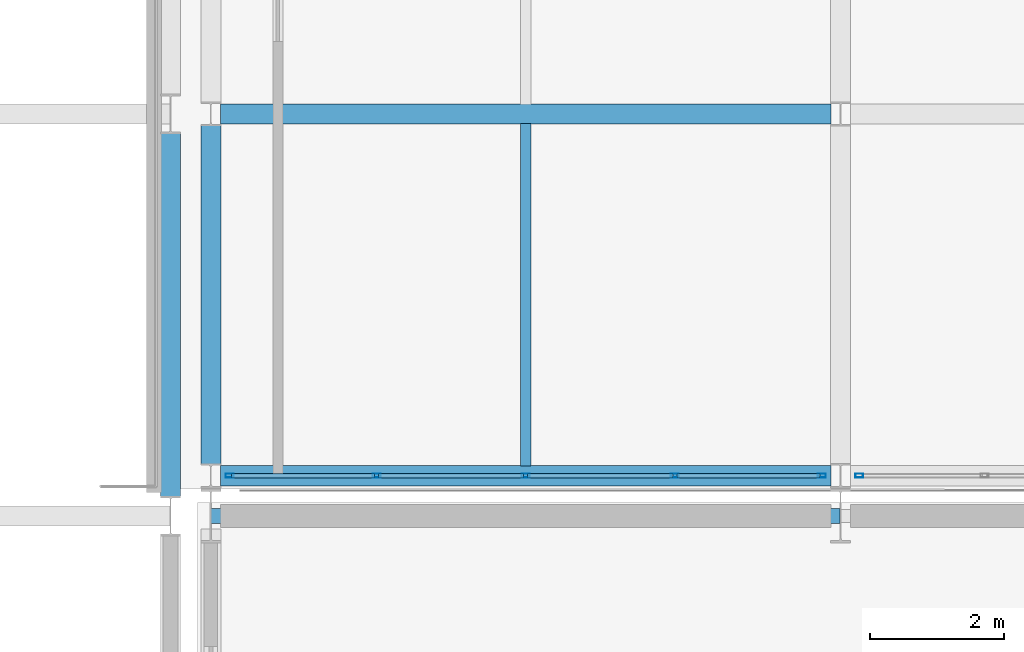
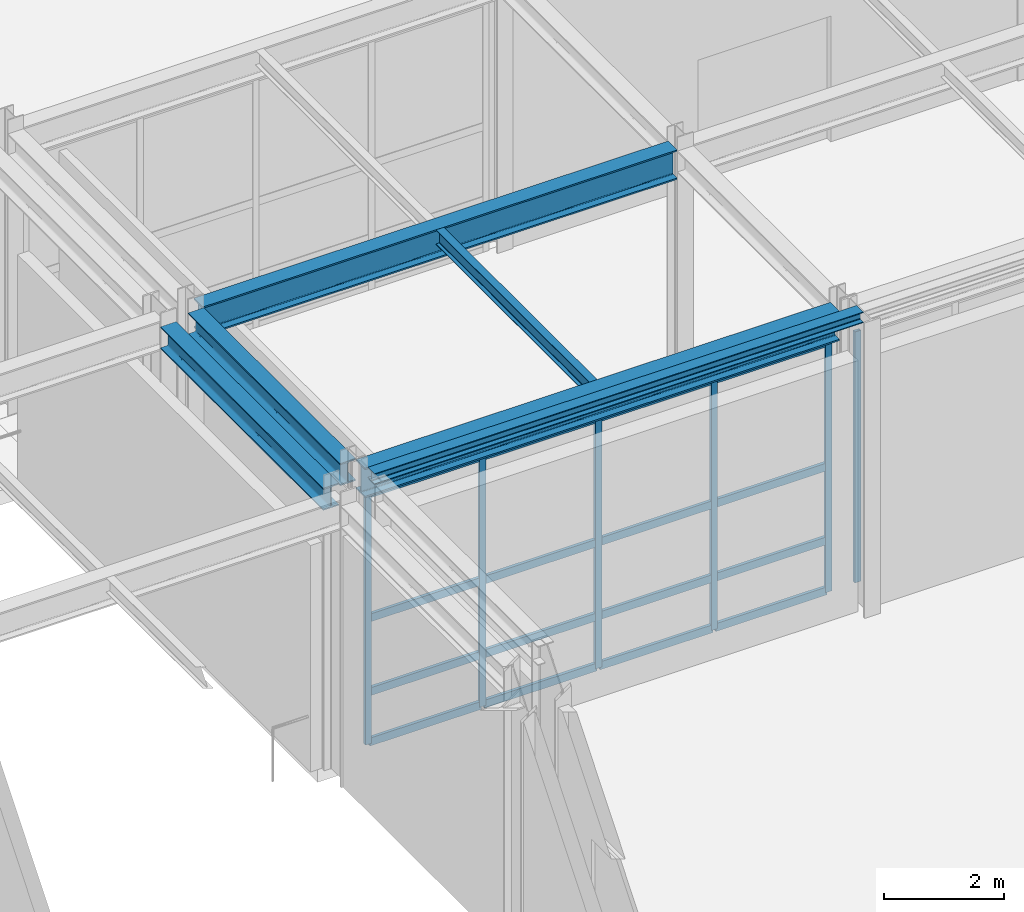
# One storey, part 91 of 146: 22 members, 6 beams, 2 elements without a shape of their own.
"""IFC4 building model written with IfcOpenShell, lengths in metres."""

import ifcopenshell
import ifcopenshell.guid

model = None  # the IFC model being written
_history = None  # IfcOwnerHistory: only IFC2X3 demands one
_inside = {}  # id of a spatial element -> (the spatial element, [elements in it])
_under = {}  # id of a project, library or spatial element -> (it, [spatial elements below it])
_declared = {}  # id of a project -> (the project, [libraries it declares])
_typed = {}  # id of a type object -> (the type object, [elements of that type])
_made_of = {}  # id of a material, layer set ... -> (it, [elements and type objects made of it])


def new_model(schema):
    """Start an empty IFC model of exactly this schema.

    Asked for "IFC4X3", IfcOpenShell would pick the latest addendum, in which some entities
    have other attributes; the version numbers below select the first issue.
    IFC2X3 requires an IfcOwnerHistory on every rooted entity: one is made here for all.
    """
    global model, _history
    if schema == "IFC4X3":
        model = ifcopenshell.file(schema_version=(4, 3, 0, 0))
    else:
        model = ifcopenshell.file(schema=schema)
    _inside.clear()
    _under.clear()
    _declared.clear()
    _typed.clear()
    _made_of.clear()
    _history = None
    if model.schema == "IFC2X3":
        org = make("IfcOrganization", Name="unknown")
        user = make(
            "IfcPersonAndOrganization",
            ThePerson=make("IfcPerson", FamilyName="unknown"),
            TheOrganization=org,
        )
        app = make(
            "IfcApplication",
            ApplicationDeveloper=org,
            Version="unknown",
            ApplicationFullName="unknown",
            ApplicationIdentifier="unknown",
        )
        _history = make(
            "IfcOwnerHistory",
            OwningUser=user,
            OwningApplication=app,
            ChangeAction="ADDED",
            CreationDate=0,
        )
    return model


def make(cls, **values):
    """One entity of the class cls with the attributes given. An attribute that is None is left unset."""
    return model.create_entity(
        cls, **{name: value for name, value in values.items() if value is not None}
    )


def rooted(cls, **values):
    """An entity with a GlobalId (a new one), such as an element, a storey or a relation."""
    return make(cls, GlobalId=ifcopenshell.guid.new(), OwnerHistory=_history, **values)


def si_unit(unit_type, name, prefix=None):
    """IfcSIUnit, for example si_unit("LENGTHUNIT", "METRE", prefix="MILLI")."""
    return make("IfcSIUnit", UnitType=unit_type, Prefix=prefix, Name=name)


def assignment(units):
    """IfcUnitAssignment: the units of a project."""
    return None if units is None else make("IfcUnitAssignment", Units=units)


def point(xyz):
    """IfcCartesianPoint."""
    return None if xyz is None else make("IfcCartesianPoint", Coordinates=xyz)


def direction(xyz):
    """IfcDirection."""
    return None if xyz is None else make("IfcDirection", DirectionRatios=xyz)


def frame(location, z_axis=None, x_axis=None):
    """IfcAxis2Placement3D, a coordinate frame: its origin and axes. An axis left out is left unset."""
    return make(
        "IfcAxis2Placement3D",
        Location=point(location),
        Axis=direction(z_axis),
        RefDirection=direction(x_axis),
    )


def frame_2d(location, x_axis=None):
    """IfcAxis2Placement2D, a coordinate frame in the plane: its origin and x axis."""
    return make(
        "IfcAxis2Placement2D", Location=point(location), RefDirection=direction(x_axis)
    )


def origin():
    """The frame at (0, 0, 0) with its axes left unset."""
    return frame((0.0, 0.0, 0.0))


def origin_2d():
    """The frame at (0, 0) in the plane with its x axis left unset."""
    return frame_2d((0.0, 0.0))


def place(relative_to, where):
    """IfcLocalPlacement: puts the frame where relative to a parent placement (None: the world)."""
    return make(
        "IfcLocalPlacement", PlacementRelTo=relative_to, RelativePlacement=where
    )


def context(
    kind, dimensions, precision=None, world=None, true_north=None, identifier=None
):
    """IfcGeometricRepresentationContext, for example the 3D "Model" context."""
    return make(
        "IfcGeometricRepresentationContext",
        ContextIdentifier=identifier,
        ContextType=kind,
        CoordinateSpaceDimension=dimensions,
        Precision=precision,
        WorldCoordinateSystem=world,
        TrueNorth=true_north,
    )


def subcontext(parent, identifier, kind, view, scale=None):
    """IfcGeometricRepresentationSubContext, for example "Body" below "Model"."""
    return make(
        "IfcGeometricRepresentationSubContext",
        ContextIdentifier=identifier,
        ContextType=kind,
        ParentContext=parent,
        TargetScale=scale,
        TargetView=view,
    )


def project(units=None, contexts=None):
    """IfcProject with its units and contexts."""
    return rooted(
        "IfcProject",
        Name="project",
        RepresentationContexts=contexts,
        UnitsInContext=assignment(units),
    )


def spatial(cls, under=None, at=None, **own):
    """A site, building, storey or space (cls), placed at a placement, below another one or the project."""
    s = rooted(cls, ObjectPlacement=at, **own)
    if under is not None:
        _under.setdefault(under.id(), (under, []))[1].append(s)
    return s


def profile(cls, at=None, kind="AREA", **sizes):
    """A parametric profile (cls). Its sizes go by their IFC names, for example OverallWidth=200.0."""
    return make(cls, ProfileType=kind, Position=at, **sizes)


def hollow_rectangle(**sizes):
    """IfcRectangleHollowProfileDef."""
    return profile("IfcRectangleHollowProfileDef", **sizes)


def i_section(**sizes):
    """IfcIShapeProfileDef."""
    return profile("IfcIShapeProfileDef", **sizes)


def extrude(swept, where, along, depth):
    """IfcExtrudedAreaSolid: the profile swept, set in the frame where, extruded along a direction by depth."""
    return make(
        "IfcExtrudedAreaSolid",
        SweptArea=swept,
        Position=where,
        ExtrudedDirection=direction(along),
        Depth=depth,
    )


def shape(context_of_items, identifier, shape_type, items):
    """IfcShapeRepresentation: the items that make up one representation, for example the "Body"."""
    return make(
        "IfcShapeRepresentation",
        ContextOfItems=context_of_items,
        RepresentationIdentifier=identifier,
        RepresentationType=shape_type,
        Items=items,
    )


def material(Name=None, Category=None):
    """IfcMaterial."""
    return make("IfcMaterial", Name=Name, Category=Category)


def material_profile(
    of_material, cross_section, Name=None, Category=None, Priority=None
):
    """IfcMaterialProfile: a cross section and its material."""
    return make(
        "IfcMaterialProfile",
        Name=Name,
        Material=of_material,
        Profile=cross_section,
        Priority=Priority,
        Category=Category,
    )


def profile_set(profiles, Name=None, composite=None):
    """IfcMaterialProfileSet."""
    return make(
        "IfcMaterialProfileSet",
        Name=Name,
        MaterialProfiles=profiles,
        CompositeProfile=composite,
    )


def made_of(thing, what):
    """Note that an element or type object is made of a material, layer set ...; save() writes the relation."""
    if what is not None:
        _made_of.setdefault(what.id(), (what, []))[1].append(thing)
    return thing


def type_object(cls, material=None, **own):
    """A type object (cls), such as IfcWallType, which elements share."""
    return made_of(rooted(cls, **own), material)


def element(
    cls,
    number,
    at=None,
    inside=None,
    cuts=None,
    type_object=None,
    material=None,
    context=None,
    identifier="Body",
    shape_type=None,
    held_by="IfcProductDefinitionShape",
    body=None,
    shapes=None,
    **own,
):
    """One element of the class cls, such as IfcWall. Its Tag is "e" and its number.

    at: its placement. inside: the storey or other place that contains it. cuts: it is an
    opening in that element (IfcRelVoidsElement). A single representation is given by context,
    identifier, shape_type and body (its items); several are given by shapes. held_by: the class
    of the entity that holds the representations. save() writes the other relations.
    """
    e = rooted(cls, Tag="e%d" % number, ObjectPlacement=at, **own)
    if body is not None:
        shapes = [shape(context, identifier, shape_type, body)]
    if shapes is not None:
        e.Representation = make(held_by, Representations=shapes)
    if inside is not None:
        _inside.setdefault(inside.id(), (inside, []))[1].append(e)
    if cuts is not None:
        rooted(
            "IfcRelVoidsElement", RelatingBuildingElement=cuts, RelatedOpeningElement=e
        )
    if type_object is not None:
        _typed.setdefault(type_object.id(), (type_object, []))[1].append(e)
    return made_of(e, material)


def aggregate(whole, parts):
    """IfcRelAggregates: a whole, such as a stair, and the parts it consists of."""
    return rooted("IfcRelAggregates", RelatingObject=whole, RelatedObjects=parts)


def save(model, path):
    """Write the relations noted so far, then the file.

    IfcRelAggregates (storeys below a building ...), IfcRelContainedInSpatialStructure (elements
    in a storey), IfcRelDefinesByType, IfcRelAssociatesMaterial and IfcRelDeclares: one each for
    every whole, place, type object, material and project.
    """
    for whole, parts in _under.values():
        aggregate(whole, parts)
    for where, things in _inside.values():
        rooted(
            "IfcRelContainedInSpatialStructure",
            RelatedElements=things,
            RelatingStructure=where,
        )
    for kind, things in _typed.values():
        rooted("IfcRelDefinesByType", RelatedObjects=things, RelatingType=kind)
    for what, things in _made_of.values():
        rooted("IfcRelAssociatesMaterial", RelatedObjects=things, RelatingMaterial=what)
    for by, libraries in _declared.values():
        rooted("IfcRelDeclares", RelatingContext=by, RelatedDefinitions=libraries)
    model.write(path)


model = new_model("IFC4")

# Units and contexts
model_context = context("Model", 3, precision=1e-05, world=origin(), true_north=direction((0.0, 1.0)))
body_context = subcontext(model_context, "Body", "Model", "MODEL_VIEW")
ifc_project = project(units=[si_unit("LENGTHUNIT", "METRE"), si_unit("AREAUNIT", "SQUARE_METRE"), si_unit("VOLUMEUNIT", "CUBIC_METRE"), si_unit("PLANEANGLEUNIT", "RADIAN"), si_unit("MASSUNIT", "GRAM", prefix="KILO")], contexts=[model_context])

# Site, building, storey
site_placement = place(None, origin())
site = spatial("IfcSite", under=ifc_project, at=site_placement, CompositionType="ELEMENT")
building_placement = place(site_placement, origin())
building = spatial("IfcBuilding", under=site, at=building_placement, Name="Kaldris Quays Convention Centre", CompositionType="ELEMENT")
storey_placement = place(building_placement, origin())
storey = spatial("IfcBuildingStorey", under=building, at=storey_placement, Name="L00", CompositionType="ELEMENT", Elevation=0.0)

# Curtain wall, members
ifc_material_1 = material(Name="Anodized aluminium AW-6060 and triple glazing", Category="aluminium")
curtain_wall_type = type_object("IfcCurtainWallType", Name="UNITISED CURTAIN WALL CW06", PredefinedType="NOTDEFINED", material=ifc_material_1)
curtain_wall_1_placement = place(storey_placement, origin())
curtain_wall_1 = element("IfcCurtainWall", 1, at=curtain_wall_1_placement, inside=storey, type_object=curtain_wall_type, Name="L00 Unitised Curtain Wall CW06 154", PredefinedType="NOTDEFINED")
ifc_material_2 = material(Name="Anodized aluminium AW-6060", Category="aluminium")
ifc_material_profile_1 = material_profile(ifc_material_2, hollow_rectangle(XDim=0.06005859375, YDim=0.1201171875, WallThickness=0.00390625, at=origin_2d()), Name="RHS 120x60x4")
ifc_profile_set_1 = profile_set([ifc_material_profile_1], Name="Anodized aluminium AW-6060")
member_type_1 = type_object("IfcMemberType", Name="CURTAIN MULLION CWM3", PredefinedType="MULLION", material=ifc_profile_set_1)
member_1_placement = place(storey_placement, frame((164.8798828125, 104.60009765625, 0.0), z_axis=(0.0, 0.0, 1.0), x_axis=(0.0, 1.0, 0.0)))
member_1 = element("IfcMember", 2, at=member_1_placement, type_object=member_type_1, Name="CW06 mullion 1", PredefinedType="MULLION", context=body_context, shape_type="SweptSolid", body=[
    extrude(hollow_rectangle(XDim=0.06005859375, YDim=0.1201171875, WallThickness=0.00390625, at=origin_2d()), origin(), (0.0, 0.0, 1.0), 5.097900390625),
])
member_2_placement = place(storey_placement, frame((167.074951171875, 104.60009765625, 0.0), z_axis=(0.0, 0.0, 1.0), x_axis=(0.0, 1.0, 0.0)))
member_2 = element("IfcMember", 3, at=member_2_placement, type_object=member_type_1, Name="CW06 mullion 2", PredefinedType="MULLION", context=body_context, shape_type="SweptSolid", body=[
    extrude(hollow_rectangle(XDim=0.06005859375, YDim=0.1201171875, WallThickness=0.00390625, at=origin_2d()), origin(), (0.0, 0.0, 1.0), 5.097900390625),
])
member_3_placement = place(storey_placement, frame((169.300048828125, 104.60009765625, 0.0), z_axis=(0.0, 0.0, 1.0), x_axis=(0.0, 1.0, 0.0)))
member_3 = element("IfcMember", 4, at=member_3_placement, type_object=member_type_1, Name="CW06 mullion 3", PredefinedType="MULLION", context=body_context, shape_type="SweptSolid", body=[
    extrude(hollow_rectangle(XDim=0.06005859375, YDim=0.1201171875, WallThickness=0.00390625, at=origin_2d()), origin(), (0.0, 0.0, 1.0), 5.097900390625),
])
member_4_placement = place(storey_placement, frame((171.52490234375, 104.60009765625, 0.0), z_axis=(0.0, 0.0, 1.0), x_axis=(0.0, 1.0, 0.0)))
member_4 = element("IfcMember", 5, at=member_4_placement, type_object=member_type_1, Name="CW06 mullion 4", PredefinedType="MULLION", context=body_context, shape_type="SweptSolid", body=[
    extrude(hollow_rectangle(XDim=0.06005859375, YDim=0.1201171875, WallThickness=0.00390625, at=origin_2d()), origin(), (0.0, 0.0, 1.0), 5.097900390625),
])
member_5_placement = place(storey_placement, frame((173.719970703125, 104.60009765625, 0.0), z_axis=(0.0, 0.0, 1.0), x_axis=(0.0, 1.0, 0.0)))
member_5 = element("IfcMember", 6, at=member_5_placement, type_object=member_type_1, Name="CW06 mullion 5", PredefinedType="MULLION", context=body_context, shape_type="SweptSolid", body=[
    extrude(hollow_rectangle(XDim=0.06005859375, YDim=0.1201171875, WallThickness=0.00390625, at=origin_2d()), origin(), (0.0, 0.0, 1.0), 5.097900390625),
])

# Curtain wall, member
curtain_wall_2_placement = place(storey_placement, origin())
curtain_wall_2 = element("IfcCurtainWall", 7, at=curtain_wall_2_placement, inside=storey, type_object=curtain_wall_type, Name="L00 Unitised Curtain Wall CW06 155", PredefinedType="NOTDEFINED")
member_6_placement = place(storey_placement, frame((174.280029296875, 104.60009765625, 0.0), z_axis=(0.0, 0.0, 1.0), x_axis=(0.0, 1.0, 0.0)))
member_6 = element("IfcMember", 8, at=member_6_placement, type_object=member_type_1, Name="CW06 mullion 1", PredefinedType="MULLION", context=body_context, shape_type="SweptSolid", body=[
    extrude(hollow_rectangle(XDim=0.06005859375, YDim=0.1201171875, WallThickness=0.00390625, at=origin_2d()), origin(), (0.0, 0.0, 1.0), 5.097900390625),
])
aggregate(curtain_wall_2, [member_6])

# Member
ifc_material_profile_2 = material_profile(ifc_material_2, hollow_rectangle(XDim=0.06005859375, YDim=0.159912109375, WallThickness=0.00390625, at=origin_2d()), Name="RHS 160x60x4")
ifc_profile_set_2 = profile_set([ifc_material_profile_2], Name="Anodized aluminium AW-6060")
member_type_2 = type_object("IfcMemberType", Name="CURTAIN TRANSOM CWT2", PredefinedType="USERDEFINED", material=ifc_profile_set_2)
member_7_placement = place(storey_placement, frame((164.909912109375, 104.60009765625, 0.030029296875), z_axis=(1.0, 0.0, 0.0), x_axis=(0.0, 1.0, 0.0)))
member_7 = element("IfcMember", 9, at=member_7_placement, type_object=member_type_2, Name="CW06 transom 1.1", ObjectType="TRANSOM", PredefinedType="USERDEFINED", context=body_context, shape_type="SweptSolid", body=[
    extrude(hollow_rectangle(XDim=0.06005859375, YDim=0.159912109375, WallThickness=0.00390625, at=origin_2d()), origin(), (0.0, 0.0, 1.0), 2.135009765625),
])

member_8_placement = place(storey_placement, frame((164.909912109375, 104.60009765625, 1.050048828125), z_axis=(1.0, 0.0, 0.0), x_axis=(0.0, 1.0, 0.0)))
member_8 = element("IfcMember", 10, at=member_8_placement, type_object=member_type_2, Name="CW06 transom 1.2", ObjectType="TRANSOM", PredefinedType="USERDEFINED", context=body_context, shape_type="SweptSolid", body=[
    extrude(hollow_rectangle(XDim=0.06005859375, YDim=0.159912109375, WallThickness=0.00390625, at=origin_2d()), origin(), (0.0, 0.0, 1.0), 2.135009765625),
])

member_9_placement = place(storey_placement, frame((164.909912109375, 104.60009765625, 2.549072265625), z_axis=(1.0, 0.0, 0.0), x_axis=(0.0, 1.0, 0.0)))
member_9 = element("IfcMember", 11, at=member_9_placement, type_object=member_type_2, Name="CW06 transom 1.3", ObjectType="TRANSOM", PredefinedType="USERDEFINED", context=body_context, shape_type="SweptSolid", body=[
    extrude(hollow_rectangle(XDim=0.06005859375, YDim=0.159912109375, WallThickness=0.00390625, at=origin_2d()), origin(), (0.0, 0.0, 1.0), 2.135009765625),
])

member_10_placement = place(storey_placement, frame((164.909912109375, 104.60009765625, 5.068115234375), z_axis=(1.0, 0.0, 0.0), x_axis=(0.0, 1.0, 0.0)))
member_10 = element("IfcMember", 12, at=member_10_placement, type_object=member_type_2, Name="CW06 transom 1.4", ObjectType="TRANSOM", PredefinedType="USERDEFINED", context=body_context, shape_type="SweptSolid", body=[
    extrude(hollow_rectangle(XDim=0.06005859375, YDim=0.159912109375, WallThickness=0.00390625, at=origin_2d()), origin(), (0.0, 0.0, 1.0), 2.135009765625),
])

member_11_placement = place(storey_placement, frame((167.10498046875, 104.60009765625, 0.030029296875), z_axis=(1.0, 0.0, 0.0), x_axis=(0.0, 1.0, 0.0)))
member_11 = element("IfcMember", 13, at=member_11_placement, type_object=member_type_2, Name="CW06 transom 2.1", ObjectType="TRANSOM", PredefinedType="USERDEFINED", context=body_context, shape_type="SweptSolid", body=[
    extrude(hollow_rectangle(XDim=0.06005859375, YDim=0.159912109375, WallThickness=0.00390625, at=origin_2d()), origin(), (0.0, 0.0, 1.0), 2.1650390625),
])

member_12_placement = place(storey_placement, frame((167.10498046875, 104.60009765625, 1.050048828125), z_axis=(1.0, 0.0, 0.0), x_axis=(0.0, 1.0, 0.0)))
member_12 = element("IfcMember", 14, at=member_12_placement, type_object=member_type_2, Name="CW06 transom 2.2", ObjectType="TRANSOM", PredefinedType="USERDEFINED", context=body_context, shape_type="SweptSolid", body=[
    extrude(hollow_rectangle(XDim=0.06005859375, YDim=0.159912109375, WallThickness=0.00390625, at=origin_2d()), origin(), (0.0, 0.0, 1.0), 2.1650390625),
])

member_13_placement = place(storey_placement, frame((167.10498046875, 104.60009765625, 2.549072265625), z_axis=(1.0, 0.0, 0.0), x_axis=(0.0, 1.0, 0.0)))
member_13 = element("IfcMember", 15, at=member_13_placement, type_object=member_type_2, Name="CW06 transom 2.3", ObjectType="TRANSOM", PredefinedType="USERDEFINED", context=body_context, shape_type="SweptSolid", body=[
    extrude(hollow_rectangle(XDim=0.06005859375, YDim=0.159912109375, WallThickness=0.00390625, at=origin_2d()), origin(), (0.0, 0.0, 1.0), 2.1650390625),
])

member_14_placement = place(storey_placement, frame((167.10498046875, 104.60009765625, 5.068115234375), z_axis=(1.0, 0.0, 0.0), x_axis=(0.0, 1.0, 0.0)))
member_14 = element("IfcMember", 16, at=member_14_placement, type_object=member_type_2, Name="CW06 transom 2.4", ObjectType="TRANSOM", PredefinedType="USERDEFINED", context=body_context, shape_type="SweptSolid", body=[
    extrude(hollow_rectangle(XDim=0.06005859375, YDim=0.159912109375, WallThickness=0.00390625, at=origin_2d()), origin(), (0.0, 0.0, 1.0), 2.1650390625),
])

member_15_placement = place(storey_placement, frame((169.330078125, 104.60009765625, 0.030029296875), z_axis=(1.0, 0.0, 0.0), x_axis=(0.0, 1.0, 0.0)))
member_15 = element("IfcMember", 17, at=member_15_placement, type_object=member_type_2, Name="CW06 transom 3.1", ObjectType="TRANSOM", PredefinedType="USERDEFINED", context=body_context, shape_type="SweptSolid", body=[
    extrude(hollow_rectangle(XDim=0.06005859375, YDim=0.159912109375, WallThickness=0.00390625, at=origin_2d()), origin(), (0.0, 0.0, 1.0), 2.1650390625),
])

member_16_placement = place(storey_placement, frame((169.330078125, 104.60009765625, 1.050048828125), z_axis=(1.0, 0.0, 0.0), x_axis=(0.0, 1.0, 0.0)))
member_16 = element("IfcMember", 18, at=member_16_placement, type_object=member_type_2, Name="CW06 transom 3.2", ObjectType="TRANSOM", PredefinedType="USERDEFINED", context=body_context, shape_type="SweptSolid", body=[
    extrude(hollow_rectangle(XDim=0.06005859375, YDim=0.159912109375, WallThickness=0.00390625, at=origin_2d()), origin(), (0.0, 0.0, 1.0), 2.1650390625),
])

member_17_placement = place(storey_placement, frame((169.330078125, 104.60009765625, 2.549072265625), z_axis=(1.0, 0.0, 0.0), x_axis=(0.0, 1.0, 0.0)))
member_17 = element("IfcMember", 19, at=member_17_placement, type_object=member_type_2, Name="CW06 transom 3.3", ObjectType="TRANSOM", PredefinedType="USERDEFINED", context=body_context, shape_type="SweptSolid", body=[
    extrude(hollow_rectangle(XDim=0.06005859375, YDim=0.159912109375, WallThickness=0.00390625, at=origin_2d()), origin(), (0.0, 0.0, 1.0), 2.1650390625),
])

member_18_placement = place(storey_placement, frame((169.330078125, 104.60009765625, 5.068115234375), z_axis=(1.0, 0.0, 0.0), x_axis=(0.0, 1.0, 0.0)))
member_18 = element("IfcMember", 20, at=member_18_placement, type_object=member_type_2, Name="CW06 transom 3.4", ObjectType="TRANSOM", PredefinedType="USERDEFINED", context=body_context, shape_type="SweptSolid", body=[
    extrude(hollow_rectangle(XDim=0.06005859375, YDim=0.159912109375, WallThickness=0.00390625, at=origin_2d()), origin(), (0.0, 0.0, 1.0), 2.1650390625),
])

member_19_placement = place(storey_placement, frame((171.554931640625, 104.60009765625, 0.030029296875), z_axis=(1.0, 0.0, 0.0), x_axis=(0.0, 1.0, 0.0)))
member_19 = element("IfcMember", 21, at=member_19_placement, type_object=member_type_2, Name="CW06 transom 4.1", ObjectType="TRANSOM", PredefinedType="USERDEFINED", context=body_context, shape_type="SweptSolid", body=[
    extrude(hollow_rectangle(XDim=0.06005859375, YDim=0.159912109375, WallThickness=0.00390625, at=origin_2d()), origin(), (0.0, 0.0, 1.0), 2.135009765625),
])

member_20_placement = place(storey_placement, frame((171.554931640625, 104.60009765625, 1.050048828125), z_axis=(1.0, 0.0, 0.0), x_axis=(0.0, 1.0, 0.0)))
member_20 = element("IfcMember", 22, at=member_20_placement, type_object=member_type_2, Name="CW06 transom 4.2", ObjectType="TRANSOM", PredefinedType="USERDEFINED", context=body_context, shape_type="SweptSolid", body=[
    extrude(hollow_rectangle(XDim=0.06005859375, YDim=0.159912109375, WallThickness=0.00390625, at=origin_2d()), origin(), (0.0, 0.0, 1.0), 2.135009765625),
])

member_21_placement = place(storey_placement, frame((171.554931640625, 104.60009765625, 2.549072265625), z_axis=(1.0, 0.0, 0.0), x_axis=(0.0, 1.0, 0.0)))
member_21 = element("IfcMember", 23, at=member_21_placement, type_object=member_type_2, Name="CW06 transom 4.3", ObjectType="TRANSOM", PredefinedType="USERDEFINED", context=body_context, shape_type="SweptSolid", body=[
    extrude(hollow_rectangle(XDim=0.06005859375, YDim=0.159912109375, WallThickness=0.00390625, at=origin_2d()), origin(), (0.0, 0.0, 1.0), 2.135009765625),
])

member_22_placement = place(storey_placement, frame((171.554931640625, 104.60009765625, 5.068115234375), z_axis=(1.0, 0.0, 0.0), x_axis=(0.0, 1.0, 0.0)))
member_22 = element("IfcMember", 24, at=member_22_placement, type_object=member_type_2, Name="CW06 transom 4.4", ObjectType="TRANSOM", PredefinedType="USERDEFINED", context=body_context, shape_type="SweptSolid", body=[
    extrude(hollow_rectangle(XDim=0.06005859375, YDim=0.159912109375, WallThickness=0.00390625, at=origin_2d()), origin(), (0.0, 0.0, 1.0), 2.135009765625),
])

aggregate(curtain_wall_1, [member_1, member_2, member_3, member_4, member_5, member_7, member_8, member_9, member_10, member_11, member_12, member_13, member_14, member_15, member_16, member_17, member_18, member_19, member_20, member_21, member_22])

# Beams
ifc_material_3 = material(Name="Steel S355J2", Category="steel")
ifc_material_profile_3 = material_profile(ifc_material_3, i_section(OverallWidth=0.300048828125, OverallDepth=0.60009765625, WebThickness=0.015380859375, FlangeThickness=0.030029296875, FilletRadius=0.027099609375, at=origin_2d()), Name="HEB 600")
ifc_profile_set_3 = profile_set([ifc_material_profile_3], Name="Steel S355J2")
beam_type_1 = type_object("IfcBeamType", Name="STRUCTURAL BEAM BM05", PredefinedType="BEAM", material=ifc_profile_set_3)
for number, where, z_axis, x_axis, name in (
    (25, (164.743896484375, 104.60009765625, 5.423095703125), (1.0, 0.0, 0.0), (0.0, 1.0, 0.0), "L00 Girder BM05 43"),
    (26, (164.743896484375, 110.0, 5.423095703125), (1.0, 0.0, 0.0), (0.0, 1.0, 0.0), "L00 Girder BM05 48"),
):
    element("IfcBeam", number, at=place(storey_placement, frame(where, z_axis=z_axis, x_axis=x_axis)), inside=storey, type_object=beam_type_1, Name=name, PredefinedType="BEAM", context=body_context, shape_type="SweptSolid", body=[
        extrude(i_section(OverallWidth=0.300048828125, OverallDepth=0.60009765625, WebThickness=0.015380859375, FlangeThickness=0.030029296875, FilletRadius=0.027099609375, at=origin_2d()), origin(), (0.0, 0.0, 1.0), 9.112060546875),
    ])
ifc_material_profile_4 = material_profile(ifc_material_3, i_section(OverallWidth=0.300048828125, OverallDepth=0.449951171875, WebThickness=0.013916015625, FlangeThickness=0.02587890625, FilletRadius=0.027099609375, at=origin_2d()), Name="HEB 450")
ifc_profile_set_4 = profile_set([ifc_material_profile_4], Name="Steel S355J2")
beam_type_2 = type_object("IfcBeamType", Name="STRUCTURAL BEAM BM07", PredefinedType="BEAM", material=ifc_profile_set_4)
beam_1_placement = place(storey_placement, frame((164.0, 104.2939453125, 5.498046875), z_axis=(0.0, 1.0, 0.0), x_axis=(-1.0, 0.0, 0.0)))
element("IfcBeam", 27, at=beam_1_placement, inside=storey, type_object=beam_type_2, Name="L00 Girder BM07 100", PredefinedType="BEAM", context=body_context, shape_type="SweptSolid", body=[
    extrude(i_section(OverallWidth=0.300048828125, OverallDepth=0.449951171875, WebThickness=0.013916015625, FlangeThickness=0.02587890625, FilletRadius=0.027099609375, at=origin_2d()), origin(), (0.0, 0.0, 1.0), 5.412109375),
])
beam_2_placement = place(storey_placement, frame((164.60009765625, 104.77392578125, 5.498046875), z_axis=(0.0, 1.0, 0.0), x_axis=(-1.0, 0.0, 0.0)))
element("IfcBeam", 28, at=beam_2_placement, inside=storey, type_object=beam_type_2, Name="L00 Girder BM07 102", PredefinedType="BEAM", context=body_context, shape_type="SweptSolid", body=[
    extrude(i_section(OverallWidth=0.300048828125, OverallDepth=0.449951171875, WebThickness=0.013916015625, FlangeThickness=0.02587890625, FilletRadius=0.027099609375, at=origin_2d()), origin(), (0.0, 0.0, 1.0), 5.052001953125),
])
ifc_material_profile_5 = material_profile(ifc_material_3, i_section(OverallWidth=0.14990234375, OverallDepth=0.300048828125, WebThickness=0.007080078125, FlangeThickness=0.0107421875, FilletRadius=0.014892578125, at=origin_2d()), Name="IPE 300")
ifc_profile_set_5 = profile_set([ifc_material_profile_5], Name="Steel S355J2")
beam_type_3 = type_object("IfcBeamType", Name="STRUCTURAL BEAM JT04", PredefinedType="JOIST", material=ifc_profile_set_5)
beam_3_placement = place(storey_placement, frame((169.300048828125, 104.743896484375, 5.572998046875), z_axis=(0.0, 1.0, 0.0), x_axis=(-1.0, 0.0, 0.0)))
element("IfcBeam", 29, at=beam_3_placement, inside=storey, type_object=beam_type_3, Name="L00 Secondary Joist JT04 28", PredefinedType="JOIST", context=body_context, shape_type="SweptSolid", body=[
    extrude(i_section(OverallWidth=0.14990234375, OverallDepth=0.300048828125, WebThickness=0.007080078125, FlangeThickness=0.0107421875, FilletRadius=0.014892578125, at=origin_2d()), origin(), (0.0, 0.0, 1.0), 5.112060546875),
])
ifc_material_profile_6 = material_profile(ifc_material_3, i_section(OverallWidth=0.219970703125, OverallDepth=0.219970703125, WebThickness=0.009521484375, FlangeThickness=0.01611328125, FilletRadius=0.01806640625, at=origin_2d()), Name="HEB 220")
ifc_profile_set_6 = profile_set([ifc_material_profile_6], Name="Steel S355J2")
beam_type_4 = type_object("IfcBeamType", Name="STRUCTURAL BEAM SP05", PredefinedType="SPANDREL", material=ifc_profile_set_6)
beam_4_placement = place(storey_placement, frame((164.60595703125, 104.0, 5.889892578125), z_axis=(1.0, 0.0, 0.0), x_axis=(0.0, 1.0, 0.0)))
element("IfcBeam", 30, at=beam_4_placement, inside=storey, type_object=beam_type_4, Name="L00 Perimeter Wall-Bearing Spandrel SP05 23", PredefinedType="SPANDREL", context=body_context, shape_type="SweptSolid", body=[
    extrude(i_section(OverallWidth=0.219970703125, OverallDepth=0.219970703125, WebThickness=0.009521484375, FlangeThickness=0.01611328125, FilletRadius=0.01806640625, at=origin_2d()), origin(), (0.0, 0.0, 1.0), 9.387939453125),
])

save(model, "model.ifc")
